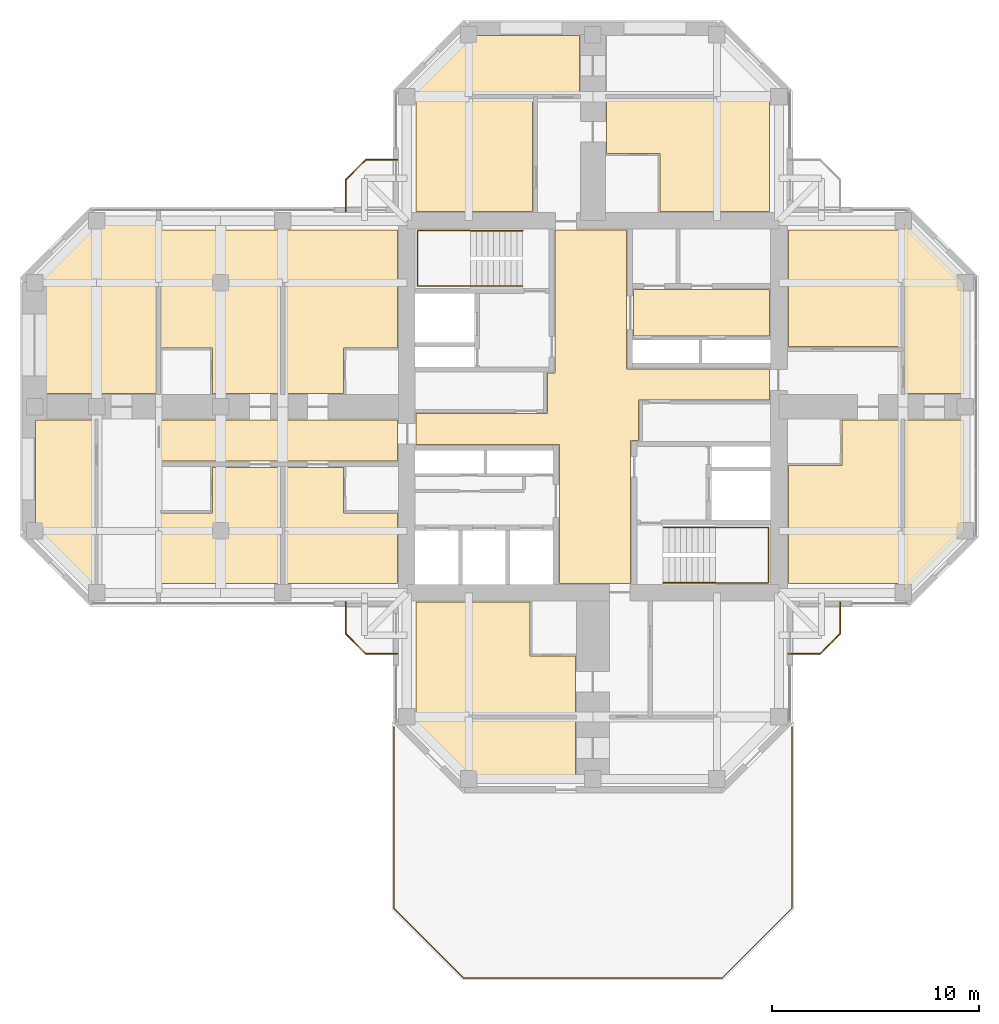
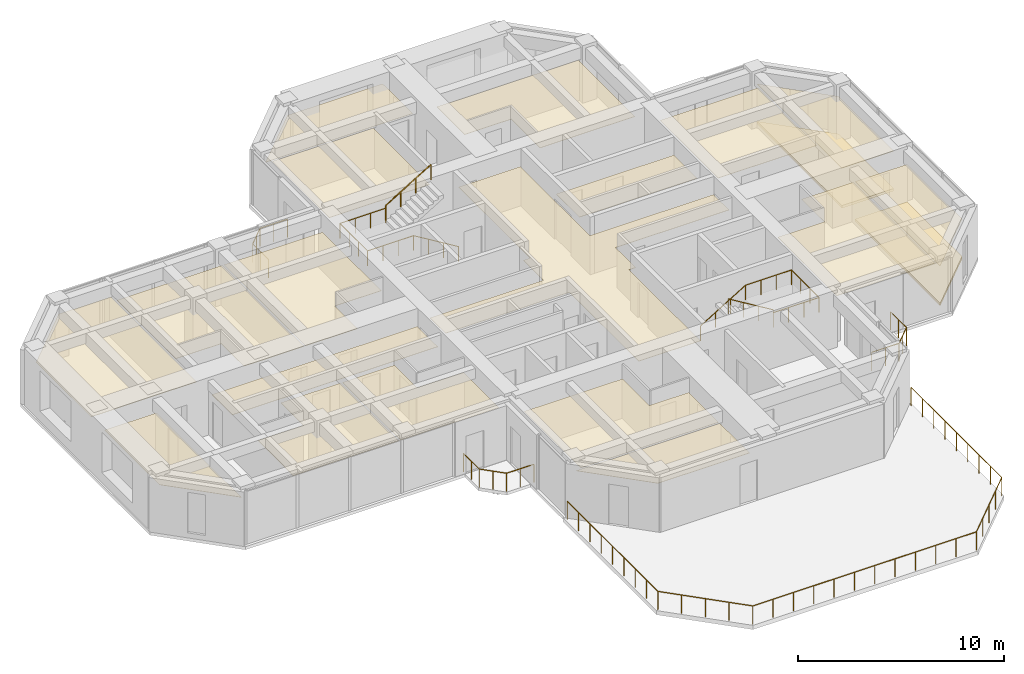
# One storey, part 13 of 14: 20 coverings, 8 railings.
"""IFC4 building model written with IfcOpenShell, lengths in metres."""

from ifc_helpers import new_model, si_unit, direction, frame, origin, origin_2d, place, context, subcontext, project, spatial, polyline, circle, outline, extrude, material, layer, layer_set, constituent, constituent_set, type_object, element, save


model = new_model("IFC4")

# Units and contexts
model_context = context("Model", 3, precision=1e-05, world=origin(), true_north=direction((0.0, 1.0)))
body_context = subcontext(model_context, "Body", "Model", "MODEL_VIEW")
ifc_project = project(units=[si_unit("LENGTHUNIT", "METRE"), si_unit("AREAUNIT", "SQUARE_METRE"), si_unit("VOLUMEUNIT", "CUBIC_METRE"), si_unit("PLANEANGLEUNIT", "RADIAN"), si_unit("MASSUNIT", "GRAM", prefix="KILO")], contexts=[model_context])

# Site, building, storey
site_placement = place(None, origin())
site = spatial("IfcSite", under=ifc_project, at=site_placement, CompositionType="ELEMENT")
building_placement = place(site_placement, origin())
building = spatial("IfcBuilding", under=site, at=building_placement, Name="Torre Cruceta", CompositionType="ELEMENT")
storey_placement = place(building_placement, frame((0.0, 0.0, 222.10009765625)))
storey = spatial("IfcBuildingStorey", under=building, at=storey_placement, Name="L56", CompositionType="ELEMENT", Elevation=222.10009765625)

# Railings
ifc_material_1 = material(Name="Stainless steel 1.4401", Category="steel")
ifc_constituent_1 = constituent(ifc_material_1, Name="Frame")
ifc_material_2 = material(Name="Laminated safety glass", Category="glass")
ifc_constituent_2 = constituent(ifc_material_2, Name="Infill")
ifc_constituent_set_1 = constituent_set(constituents=[ifc_constituent_1, ifc_constituent_2], Name="Stainless steel and laminated glass balustrade")
railing_type_1 = type_object("IfcRailingType", Name="BALCONY BALUSTRADE 1100", PredefinedType="BALUSTRADE", material=ifc_constituent_set_1)
railing_1_placement = place(storey_placement, frame((-9.449951171875, 11.949951171875, 0.0)))
element("IfcRailing", 1, at=railing_1_placement, inside=storey, type_object=railing_type_1, Name="BL1 balcony balustrade L56 N", PredefinedType="BALUSTRADE", context=body_context, shape_type="SweptSolid", body=[
    extrude(circle(Radius=0.02392578125, at=origin_2d()), frame((0.0, 0.0, 1.076171875), z_axis=(-1.0, 0.0, 0.0), x_axis=(0.0, -1.0, 0.0)), (0.0, 0.0, 1.0), 1.529296875),
    extrude(circle(Radius=0.02392578125, at=origin_2d()), frame((-1.529296875, 0.0, 1.076171875), z_axis=(-0.707106781187, -0.707106781187, 0.0), x_axis=(0.707106781187, -0.707106781187, 0.0)), (0.0, 0.0, 1.0), 1.372802734375),
    extrude(circle(Radius=0.02392578125, at=origin_2d()), frame((-2.5, -0.970703125, 1.076171875), z_axis=(0.0, -1.0, 0.0), x_axis=(1.0, 0.0, 0.0)), (0.0, 0.0, 1.0), 1.529296875),
    extrude(circle(Radius=0.02099609375, at=origin_2d()), origin(), (0.0, 0.0, 1.0), 1.052001953125),
    extrude(circle(Radius=0.02099609375, at=origin_2d()), frame((-0.7646484375, 0.0, 0.0)), (0.0, 0.0, 1.0), 1.052001953125),
    extrude(circle(Radius=0.02099609375, at=origin_2d()), frame((-1.529296875, 0.0, 0.0)), (0.0, 0.0, 1.0), 1.052001953125),
    extrude(circle(Radius=0.02099609375, at=origin_2d()), frame((-2.0146484375, -0.4853515625, 0.0)), (0.0, 0.0, 1.0), 1.052001953125),
    extrude(circle(Radius=0.02099609375, at=origin_2d()), frame((-2.5, -0.970703125, 0.0)), (0.0, 0.0, 1.0), 1.052001953125),
    extrude(circle(Radius=0.02099609375, at=origin_2d()), frame((-2.5, -1.7353515625, 0.0)), (0.0, 0.0, 1.0), 1.052001953125),
    extrude(circle(Radius=0.02099609375, at=origin_2d()), frame((-2.5, -2.5, 0.0)), (0.0, 0.0, 1.0), 1.052001953125),
])
railing_2_placement = place(storey_placement, frame((9.449951171875, -11.949951171875, 0.0)))
element("IfcRailing", 2, at=railing_2_placement, inside=storey, type_object=railing_type_1, Name="BL1 balcony balustrade L56 S", PredefinedType="BALUSTRADE", context=body_context, shape_type="SweptSolid", body=[
    extrude(circle(Radius=0.02392578125, at=origin_2d()), frame((0.0, 0.0, 1.076171875), z_axis=(1.0, 0.0, 0.0), x_axis=(0.0, 1.0, 0.0)), (0.0, 0.0, 1.0), 1.529296875),
    extrude(circle(Radius=0.02392578125, at=origin_2d()), frame((1.529296875, 0.0, 1.076171875), z_axis=(0.707106781187, 0.707106781187, 0.0), x_axis=(-0.707106781187, 0.707106781187, 0.0)), (0.0, 0.0, 1.0), 1.372802734375),
    extrude(circle(Radius=0.02392578125, at=origin_2d()), frame((2.5, 0.970703125, 1.076171875), z_axis=(0.0, 1.0, 0.0), x_axis=(-1.0, 0.0, 0.0)), (0.0, 0.0, 1.0), 1.529296875),
    extrude(circle(Radius=0.02099609375, at=origin_2d()), origin(), (0.0, 0.0, 1.0), 1.052001953125),
    extrude(circle(Radius=0.02099609375, at=origin_2d()), frame((0.7646484375, 0.0, 0.0)), (0.0, 0.0, 1.0), 1.052001953125),
    extrude(circle(Radius=0.02099609375, at=origin_2d()), frame((1.529296875, 0.0, 0.0)), (0.0, 0.0, 1.0), 1.052001953125),
    extrude(circle(Radius=0.02099609375, at=origin_2d()), frame((2.0146484375, 0.4853515625, 0.0)), (0.0, 0.0, 1.0), 1.052001953125),
    extrude(circle(Radius=0.02099609375, at=origin_2d()), frame((2.5, 0.970703125, 0.0)), (0.0, 0.0, 1.0), 1.052001953125),
    extrude(circle(Radius=0.02099609375, at=origin_2d()), frame((2.5, 1.7353515625, 0.0)), (0.0, 0.0, 1.0), 1.052001953125),
    extrude(circle(Radius=0.02099609375, at=origin_2d()), frame((2.5, 2.5, 0.0)), (0.0, 0.0, 1.0), 1.052001953125),
])
railing_3_placement = place(storey_placement, frame((-9.449951171875, -11.949951171875, 0.0)))
element("IfcRailing", 3, at=railing_3_placement, inside=storey, type_object=railing_type_1, Name="BL1 balcony balustrade L56 W", PredefinedType="BALUSTRADE", context=body_context, shape_type="SweptSolid", body=[
    extrude(circle(Radius=0.02392578125, at=origin_2d()), frame((0.0, 0.0, 1.076171875), z_axis=(-1.0, 0.0, 0.0), x_axis=(0.0, -1.0, 0.0)), (0.0, 0.0, 1.0), 1.529296875),
    extrude(circle(Radius=0.02392578125, at=origin_2d()), frame((-1.529296875, 0.0, 1.076171875), z_axis=(-0.707106781187, 0.707106781187, 0.0), x_axis=(-0.707106781187, -0.707106781187, 0.0)), (0.0, 0.0, 1.0), 1.372802734375),
    extrude(circle(Radius=0.02392578125, at=origin_2d()), frame((-2.5, 0.970703125, 1.076171875), z_axis=(0.0, 1.0, 0.0), x_axis=(-1.0, 0.0, 0.0)), (0.0, 0.0, 1.0), 1.529296875),
    extrude(circle(Radius=0.02099609375, at=origin_2d()), origin(), (0.0, 0.0, 1.0), 1.052001953125),
    extrude(circle(Radius=0.02099609375, at=origin_2d()), frame((-0.7646484375, 0.0, 0.0)), (0.0, 0.0, 1.0), 1.052001953125),
    extrude(circle(Radius=0.02099609375, at=origin_2d()), frame((-1.529296875, 0.0, 0.0)), (0.0, 0.0, 1.0), 1.052001953125),
    extrude(circle(Radius=0.02099609375, at=origin_2d()), frame((-2.0146484375, 0.4853515625, 0.0)), (0.0, 0.0, 1.0), 1.052001953125),
    extrude(circle(Radius=0.02099609375, at=origin_2d()), frame((-2.5, 0.970703125, 0.0)), (0.0, 0.0, 1.0), 1.052001953125),
    extrude(circle(Radius=0.02099609375, at=origin_2d()), frame((-2.5, 1.7353515625, 0.0)), (0.0, 0.0, 1.0), 1.052001953125),
    extrude(circle(Radius=0.02099609375, at=origin_2d()), frame((-2.5, 2.5, 0.0)), (0.0, 0.0, 1.0), 1.052001953125),
])
ifc_material_3 = material(Name="Stainless steel 1.4401", Category="steel")
railing_type_2 = type_object("IfcRailingType", Name="HANDRAIL 900", PredefinedType="HANDRAIL", material=ifc_material_3)
railing_4_placement = place(storey_placement, frame((-3.39990234375, 5.8349609375, 0.169921875)))
element("IfcRailing", 4, at=railing_4_placement, inside=storey, type_object=railing_type_2, Name="Handrail HR1 ST1 L56", PredefinedType="HANDRAIL", context=body_context, shape_type="SweptSolid", body=[
    extrude(circle(Radius=0.02392578125, at=origin_2d()), frame((0.0, 0.0, 0.8759765625), z_axis=(-0.85478489116, 0.0, 0.518982456201), x_axis=(0.0, -1.0, 0.0)), (0.0, 0.0, 1.0), 2.9482421875),
    extrude(circle(Radius=0.02392578125, at=origin_2d()), frame((-2.52001953125, 0.0, 2.40576171875), z_axis=(-1.0, 0.0, 0.0), x_axis=(0.0, -1.0, 0.0)), (0.0, 0.0, 1.0), 2.570068359375),
    extrude(circle(Radius=0.02392578125, at=origin_2d()), frame((-5.090087890625, 0.0, 2.40576171875), z_axis=(0.0, 1.0, 0.0), x_axis=(-1.0, 0.0, 0.0)), (0.0, 0.0, 1.0), 2.679931640625),
    extrude(circle(Radius=0.02392578125, at=origin_2d()), frame((-5.090087890625, 2.679931640625, 2.40576171875), z_axis=(1.0, 0.0, 0.0), x_axis=(0.0, 1.0, 0.0)), (0.0, 0.0, 1.0), 2.570068359375),
    extrude(circle(Radius=0.02099609375, at=origin_2d()), origin(), (0.0, 0.0, 1.0), 0.851806640625),
    extrude(circle(Radius=0.02099609375, at=origin_2d()), frame((-0.840087890625, 0.0, 0.510009765625)), (0.0, 0.0, 1.0), 0.851806640625),
    extrude(circle(Radius=0.02099609375, at=origin_2d()), frame((-1.679931640625, 0.0, 1.02001953125)), (0.0, 0.0, 1.0), 0.851806640625),
    extrude(circle(Radius=0.02099609375, at=origin_2d()), frame((-2.52001953125, 0.0, 1.530029296875)), (0.0, 0.0, 1.0), 0.851806640625),
    extrude(circle(Radius=0.02099609375, at=origin_2d()), frame((-3.376708984375, 0.0, 1.530029296875)), (0.0, 0.0, 1.0), 0.851806640625),
    extrude(circle(Radius=0.02099609375, at=origin_2d()), frame((-4.2333984375, 0.0, 1.530029296875)), (0.0, 0.0, 1.0), 0.851806640625),
    extrude(circle(Radius=0.02099609375, at=origin_2d()), frame((-5.090087890625, 0.0, 1.530029296875)), (0.0, 0.0, 1.0), 0.851806640625),
    extrude(circle(Radius=0.02099609375, at=origin_2d()), frame((-5.090087890625, 0.893310546875, 1.530029296875)), (0.0, 0.0, 1.0), 0.851806640625),
    extrude(circle(Radius=0.02099609375, at=origin_2d()), frame((-5.090087890625, 1.78662109375, 1.530029296875)), (0.0, 0.0, 1.0), 0.851806640625),
    extrude(circle(Radius=0.02099609375, at=origin_2d()), frame((-5.090087890625, 2.679931640625, 1.530029296875)), (0.0, 0.0, 1.0), 0.851806640625),
    extrude(circle(Radius=0.02099609375, at=origin_2d()), frame((-4.2333984375, 2.679931640625, 1.530029296875)), (0.0, 0.0, 1.0), 0.851806640625),
    extrude(circle(Radius=0.02099609375, at=origin_2d()), frame((-3.376708984375, 2.679931640625, 1.530029296875)), (0.0, 0.0, 1.0), 0.851806640625),
    extrude(circle(Radius=0.02099609375, at=origin_2d()), frame((-2.52001953125, 2.679931640625, 1.530029296875)), (0.0, 0.0, 1.0), 0.851806640625),
])
railing_5_placement = place(storey_placement, frame((-5.919921875, 8.514892578125, 1.869873046875)))
element("IfcRailing", 5, at=railing_5_placement, inside=storey, type_object=railing_type_2, Name="Handrail HR1 ST1 L56", PredefinedType="HANDRAIL", context=body_context, shape_type="SweptSolid", body=[
    extrude(circle(Radius=0.02392578125, at=origin_2d()), frame((0.0, 0.0, 0.8759765625), z_axis=(0.85478489116, 0.0, 0.518982456201), x_axis=(0.0, 1.0, 0.0)), (0.0, 0.0, 1.0), 2.9482421875),
    extrude(circle(Radius=0.02099609375, at=origin_2d()), origin(), (0.0, 0.0, 1.0), 0.851806640625),
    extrude(circle(Radius=0.02099609375, at=origin_2d()), frame((0.840087890625, 0.0, 0.510009765625)), (0.0, 0.0, 1.0), 0.851806640625),
    extrude(circle(Radius=0.02099609375, at=origin_2d()), frame((1.679931640625, 0.0, 1.02001953125)), (0.0, 0.0, 1.0), 0.851806640625),
    extrude(circle(Radius=0.02099609375, at=origin_2d()), frame((2.52001953125, 0.0, 1.530029296875)), (0.0, 0.0, 1.0), 0.851806640625),
])
railing_6_placement = place(storey_placement, frame((3.39990234375, -5.8349609375, 0.169921875)))
element("IfcRailing", 6, at=railing_6_placement, inside=storey, type_object=railing_type_2, Name="Handrail HR1 ST2 L56", PredefinedType="HANDRAIL", context=body_context, shape_type="SweptSolid", body=[
    extrude(circle(Radius=0.02392578125, at=origin_2d()), frame((0.0, 0.0, 0.8759765625), z_axis=(0.85478489116, 0.0, 0.518982456201), x_axis=(0.0, 1.0, 0.0)), (0.0, 0.0, 1.0), 2.9482421875),
    extrude(circle(Radius=0.02392578125, at=origin_2d()), frame((2.52001953125, 0.0, 2.40576171875), z_axis=(1.0, 0.0, 0.0), x_axis=(0.0, 1.0, 0.0)), (0.0, 0.0, 1.0), 2.570068359375),
    extrude(circle(Radius=0.02392578125, at=origin_2d()), frame((5.090087890625, 0.0, 2.40576171875), z_axis=(0.0, -1.0, 0.0), x_axis=(1.0, 0.0, 0.0)), (0.0, 0.0, 1.0), 2.679931640625),
    extrude(circle(Radius=0.02392578125, at=origin_2d()), frame((5.090087890625, -2.679931640625, 2.40576171875), z_axis=(-1.0, 0.0, 0.0), x_axis=(0.0, -1.0, 0.0)), (0.0, 0.0, 1.0), 2.570068359375),
    extrude(circle(Radius=0.02099609375, at=origin_2d()), origin(), (0.0, 0.0, 1.0), 0.851806640625),
    extrude(circle(Radius=0.02099609375, at=origin_2d()), frame((0.840087890625, 0.0, 0.510009765625)), (0.0, 0.0, 1.0), 0.851806640625),
    extrude(circle(Radius=0.02099609375, at=origin_2d()), frame((1.679931640625, 0.0, 1.02001953125)), (0.0, 0.0, 1.0), 0.851806640625),
    extrude(circle(Radius=0.02099609375, at=origin_2d()), frame((2.52001953125, 0.0, 1.530029296875)), (0.0, 0.0, 1.0), 0.851806640625),
    extrude(circle(Radius=0.02099609375, at=origin_2d()), frame((3.376708984375, 0.0, 1.530029296875)), (0.0, 0.0, 1.0), 0.851806640625),
    extrude(circle(Radius=0.02099609375, at=origin_2d()), frame((4.2333984375, 0.0, 1.530029296875)), (0.0, 0.0, 1.0), 0.851806640625),
    extrude(circle(Radius=0.02099609375, at=origin_2d()), frame((5.090087890625, 0.0, 1.530029296875)), (0.0, 0.0, 1.0), 0.851806640625),
    extrude(circle(Radius=0.02099609375, at=origin_2d()), frame((5.090087890625, -0.893310546875, 1.530029296875)), (0.0, 0.0, 1.0), 0.851806640625),
    extrude(circle(Radius=0.02099609375, at=origin_2d()), frame((5.090087890625, -1.78662109375, 1.530029296875)), (0.0, 0.0, 1.0), 0.851806640625),
    extrude(circle(Radius=0.02099609375, at=origin_2d()), frame((5.090087890625, -2.679931640625, 1.530029296875)), (0.0, 0.0, 1.0), 0.851806640625),
    extrude(circle(Radius=0.02099609375, at=origin_2d()), frame((4.2333984375, -2.679931640625, 1.530029296875)), (0.0, 0.0, 1.0), 0.851806640625),
    extrude(circle(Radius=0.02099609375, at=origin_2d()), frame((3.376708984375, -2.679931640625, 1.530029296875)), (0.0, 0.0, 1.0), 0.851806640625),
    extrude(circle(Radius=0.02099609375, at=origin_2d()), frame((2.52001953125, -2.679931640625, 1.530029296875)), (0.0, 0.0, 1.0), 0.851806640625),
])
railing_7_placement = place(storey_placement, frame((5.919921875, -8.514892578125, 1.869873046875)))
element("IfcRailing", 7, at=railing_7_placement, inside=storey, type_object=railing_type_2, Name="Handrail HR1 ST2 L56", PredefinedType="HANDRAIL", context=body_context, shape_type="SweptSolid", body=[
    extrude(circle(Radius=0.02392578125, at=origin_2d()), frame((0.0, 0.0, 0.8759765625), z_axis=(-0.85478489116, 0.0, 0.518982456201), x_axis=(0.0, -1.0, 0.0)), (0.0, 0.0, 1.0), 2.9482421875),
    extrude(circle(Radius=0.02099609375, at=origin_2d()), origin(), (0.0, 0.0, 1.0), 0.851806640625),
    extrude(circle(Radius=0.02099609375, at=origin_2d()), frame((-0.840087890625, 0.0, 0.510009765625)), (0.0, 0.0, 1.0), 0.851806640625),
    extrude(circle(Radius=0.02099609375, at=origin_2d()), frame((-1.679931640625, 0.0, 1.02001953125)), (0.0, 0.0, 1.0), 0.851806640625),
    extrude(circle(Radius=0.02099609375, at=origin_2d()), frame((-2.52001953125, 0.0, 1.530029296875)), (0.0, 0.0, 1.0), 0.851806640625),
])

# Coverings
ifc_material_4 = material(Name="Steel DX51D", Category="steel")
ifc_constituent_3 = constituent(ifc_material_4, Name="Panel casing")
ifc_material_5 = material(Name="Calcium sulphate", Category="gypsum")
ifc_constituent_4 = constituent(ifc_material_5, Name="Panel core")
ifc_constituent_set_2 = constituent_set(constituents=[ifc_constituent_3, ifc_constituent_4], Name="Raised access floor panel")
covering_type_1 = type_object("IfcCoveringType", Name="RAISED ACCESS FLOOR 150", PredefinedType="FLOORING", material=ifc_constituent_set_2)
covering_1_placement = place(storey_placement, origin())
element("IfcCovering", 8, at=covering_1_placement, inside=storey, type_object=covering_type_1, Name="Raised floor L56-034", PredefinedType="FLOORING", context=body_context, shape_type="SweptSolid", body=[
    extrude(outline(polyline([(17.949951171875, 5.979248046875), (17.949951171875, 0.64990234375), (15.050048828125, 0.64990234375), (15.050048828125, 8.87939453125), (17.949951171875, 5.979248046875)])), origin(), (0.0, 0.0, 1.0), 0.14990234375),
])
covering_2_placement = place(storey_placement, origin())
element("IfcCovering", 9, at=covering_2_placement, inside=storey, type_object=covering_type_1, Name="Raised floor L56-035", PredefinedType="FLOORING", context=body_context, shape_type="SweptSolid", body=[
    extrude(outline(polyline([(15.050048828125, -8.87939453125), (15.050048828125, -0.64990234375), (17.949951171875, -0.64990234375), (17.949951171875, -5.979248046875), (15.050048828125, -8.87939453125)])), origin(), (0.0, 0.0, 1.0), 0.14990234375),
])
ifc_material_6 = material(Name="Mineral fibre ceiling tile", Category="gypsum")
ifc_layer = layer(ifc_material_6, 0.02001953125)
ifc_layer_set = layer_set([ifc_layer], Name="Mineral fibre ceiling tile")
covering_type_2 = type_object("IfcCoveringType", Name="SUSPENDED CEILING 20", PredefinedType="CEILING", material=ifc_layer_set)
covering_3_placement = place(storey_placement, frame((0.0, 0.0, 2.349853515625)))
element("IfcCovering", 10, at=covering_3_placement, inside=storey, type_object=covering_type_2, Name="Ceiling L56-003", PredefinedType="CEILING", context=body_context, shape_type="SweptSolid", body=[
    extrude(outline(polyline([(1.824951171875, -8.550048828125), (-1.625, -8.550048828125), (-1.625, -1.824951171875), (-8.550048828125, -1.824951171875), (-8.550048828125, -0.324951171875), (-2.199951171875, -0.324951171875), (-2.199951171875, 1.625), (-1.824951171875, 1.625), (-1.824951171875, 8.550048828125), (1.625, 8.550048828125), (1.625, 1.824951171875), (8.550048828125, 1.824951171875), (8.550048828125, 0.324951171875), (2.199951171875, 0.324951171875), (2.199951171875, -1.625), (1.824951171875, -1.625), (1.824951171875, -8.550048828125)])), origin(), (0.0, 0.0, 1.0), 0.02001953125),
])
covering_4_placement = place(storey_placement, frame((0.0, 0.0, 2.349853515625)))
element("IfcCovering", 11, at=covering_4_placement, inside=storey, type_object=covering_type_2, Name="Ceiling L56-006", PredefinedType="CEILING", context=body_context, shape_type="SweptSolid", body=[
    extrude(outline(polyline([(1.97509765625, 3.425048828125), (1.97509765625, 5.675048828125), (8.550048828125, 5.675048828125), (8.550048828125, 3.425048828125), (1.97509765625, 3.425048828125)])), origin(), (0.0, 0.0, 1.0), 0.02001953125),
])
covering_5_placement = place(storey_placement, frame((0.0, 0.0, 2.349853515625)))
element("IfcCovering", 12, at=covering_5_placement, inside=storey, type_object=covering_type_2, Name="Ceiling L56-025", PredefinedType="CEILING", context=body_context, shape_type="SweptSolid", body=[
    extrude(outline(polyline([(-2.925048828125, 9.449951171875), (-8.550048828125, 9.449951171875), (-8.550048828125, 14.949951171875), (-2.925048828125, 14.949951171875), (-2.925048828125, 9.449951171875)])), origin(), (0.0, 0.0, 1.0), 0.02001953125),
])
covering_6_placement = place(storey_placement, frame((0.0, 0.0, 2.349853515625)))
element("IfcCovering", 13, at=covering_6_placement, inside=storey, type_object=covering_type_2, Name="Ceiling L56-026", PredefinedType="CEILING", context=body_context, shape_type="SweptSolid", body=[
    extrude(outline(polyline([(0.64990234375, 14.949951171875), (8.550048828125, 14.949951171875), (8.550048828125, 9.449951171875), (3.25, 9.449951171875), (3.25, 12.25), (0.64990234375, 12.25), (0.64990234375, 14.949951171875)])), origin(), (0.0, 0.0, 1.0), 0.02001953125),
])
covering_7_placement = place(storey_placement, frame((0.0, 0.0, 2.349853515625)))
element("IfcCovering", 14, at=covering_7_placement, inside=storey, type_object=covering_type_2, Name="Ceiling L56-028", PredefinedType="CEILING", context=body_context, shape_type="SweptSolid", body=[
    extrude(outline(polyline([(-5.979248046875, 17.949951171875), (-0.64990234375, 17.949951171875), (-0.64990234375, 15.050048828125), (-8.87939453125, 15.050048828125), (-5.979248046875, 17.949951171875)])), origin(), (0.0, 0.0, 1.0), 0.02001953125),
])
covering_8_placement = place(storey_placement, frame((0.0, 0.0, 2.349853515625)))
element("IfcCovering", 15, at=covering_8_placement, inside=storey, type_object=covering_type_2, Name="Ceiling L56-031", PredefinedType="CEILING", context=body_context, shape_type="SweptSolid", body=[
    extrude(outline(polyline([(9.449951171875, 2.925048828125), (9.449951171875, 8.550048828125), (14.949951171875, 8.550048828125), (14.949951171875, 2.925048828125), (9.449951171875, 2.925048828125)])), origin(), (0.0, 0.0, 1.0), 0.02001953125),
])
covering_9_placement = place(storey_placement, frame((0.0, 0.0, 2.349853515625)))
element("IfcCovering", 16, at=covering_9_placement, inside=storey, type_object=covering_type_2, Name="Ceiling L56-032", PredefinedType="CEILING", context=body_context, shape_type="SweptSolid", body=[
    extrude(outline(polyline([(14.949951171875, -0.64990234375), (14.949951171875, -8.550048828125), (9.449951171875, -8.550048828125), (9.449951171875, -2.85009765625), (12.050048828125, -2.85009765625), (12.050048828125, -0.64990234375), (14.949951171875, -0.64990234375)])), origin(), (0.0, 0.0, 1.0), 0.02001953125),
])
covering_10_placement = place(storey_placement, frame((0.0, 0.0, 2.349853515625)))
element("IfcCovering", 17, at=covering_10_placement, inside=storey, type_object=covering_type_2, Name="Ceiling L56-034", PredefinedType="CEILING", context=body_context, shape_type="SweptSolid", body=[
    extrude(outline(polyline([(17.949951171875, 5.979248046875), (17.949951171875, 0.64990234375), (15.050048828125, 0.64990234375), (15.050048828125, 8.87939453125), (17.949951171875, 5.979248046875)])), origin(), (0.0, 0.0, 1.0), 0.02001953125),
])
covering_11_placement = place(storey_placement, frame((0.0, 0.0, 2.349853515625)))
element("IfcCovering", 18, at=covering_11_placement, inside=storey, type_object=covering_type_2, Name="Ceiling L56-035", PredefinedType="CEILING", context=body_context, shape_type="SweptSolid", body=[
    extrude(outline(polyline([(15.050048828125, -8.87939453125), (15.050048828125, -0.64990234375), (17.949951171875, -0.64990234375), (17.949951171875, -5.979248046875), (15.050048828125, -8.87939453125)])), origin(), (0.0, 0.0, 1.0), 0.02001953125),
])
covering_12_placement = place(storey_placement, frame((0.0, 0.0, 2.349853515625)))
element("IfcCovering", 19, at=covering_12_placement, inside=storey, type_object=covering_type_2, Name="Ceiling L56-038", PredefinedType="CEILING", context=body_context, shape_type="SweptSolid", body=[
    extrude(outline(polyline([(-0.85009765625, -14.949951171875), (-8.550048828125, -14.949951171875), (-8.550048828125, -9.449951171875), (-3.050048828125, -9.449951171875), (-3.050048828125, -12.050048828125), (-0.85009765625, -12.050048828125), (-0.85009765625, -14.949951171875)])), origin(), (0.0, 0.0, 1.0), 0.02001953125),
])
covering_13_placement = place(storey_placement, frame((0.0, 0.0, 2.349853515625)))
element("IfcCovering", 20, at=covering_13_placement, inside=storey, type_object=covering_type_2, Name="Ceiling L56-041", PredefinedType="CEILING", context=body_context, shape_type="SweptSolid", body=[
    extrude(outline(polyline([(-8.87939453125, -15.050048828125), (-0.85009765625, -15.050048828125), (-0.85009765625, -17.949951171875), (-5.979248046875, -17.949951171875), (-8.87939453125, -15.050048828125)])), origin(), (0.0, 0.0, 1.0), 0.02001953125),
])
covering_14_placement = place(storey_placement, frame((0.0, 0.0, 2.349853515625)))
element("IfcCovering", 21, at=covering_14_placement, inside=storey, type_object=covering_type_2, Name="Ceiling L56-042", PredefinedType="CEILING", context=body_context, shape_type="SweptSolid", body=[
    extrude(outline(polyline([(-9.449951171875, -0.64990234375), (-9.449951171875, -2.625), (-20.949951171875, -2.625), (-20.949951171875, -0.64990234375), (-9.449951171875, -0.64990234375)])), origin(), (0.0, 0.0, 1.0), 0.02001953125),
])
covering_15_placement = place(storey_placement, frame((0.0, 0.0, 2.349853515625)))
element("IfcCovering", 22, at=covering_15_placement, inside=storey, type_object=covering_type_2, Name="Ceiling L56-043", PredefinedType="CEILING", context=body_context, shape_type="SweptSolid", body=[
    extrude(outline(polyline([(-9.449951171875, -8.550048828125), (-14.949951171875, -8.550048828125), (-14.949951171875, -2.925048828125), (-12.050048828125, -2.925048828125), (-12.050048828125, -5.125), (-9.449951171875, -5.125), (-9.449951171875, -8.550048828125)])), origin(), (0.0, 0.0, 1.0), 0.02001953125),
])
covering_16_placement = place(storey_placement, frame((0.0, 0.0, 2.349853515625)))
element("IfcCovering", 23, at=covering_16_placement, inside=storey, type_object=covering_type_2, Name="Ceiling L56-045", PredefinedType="CEILING", context=body_context, shape_type="SweptSolid", body=[
    extrude(outline(polyline([(-14.949951171875, 0.64990234375), (-14.949951171875, 8.550048828125), (-9.449951171875, 8.550048828125), (-9.449951171875, 2.85009765625), (-12.050048828125, 2.85009765625), (-12.050048828125, 0.64990234375), (-14.949951171875, 0.64990234375)])), origin(), (0.0, 0.0, 1.0), 0.02001953125),
])
covering_17_placement = place(storey_placement, frame((0.0, 0.0, 2.349853515625)))
element("IfcCovering", 24, at=covering_17_placement, inside=storey, type_object=covering_type_2, Name="Ceiling L56-047", PredefinedType="CEILING", context=body_context, shape_type="SweptSolid", body=[
    extrude(outline(polyline([(-15.050048828125, -2.925048828125), (-15.050048828125, -8.550048828125), (-20.949951171875, -8.550048828125), (-20.949951171875, -5.125), (-18.39990234375, -5.125), (-18.39990234375, -2.925048828125), (-15.050048828125, -2.925048828125)])), origin(), (0.0, 0.0, 1.0), 0.02001953125),
])
covering_18_placement = place(storey_placement, frame((0.0, 0.0, 2.349853515625)))
element("IfcCovering", 25, at=covering_18_placement, inside=storey, type_object=covering_type_2, Name="Ceiling L56-049", PredefinedType="CEILING", context=body_context, shape_type="SweptSolid", body=[
    extrude(outline(polyline([(-20.949951171875, 8.550048828125), (-15.050048828125, 8.550048828125), (-15.050048828125, 0.64990234375), (-18.39990234375, 0.64990234375), (-18.39990234375, 2.85009765625), (-20.949951171875, 2.85009765625), (-20.949951171875, 8.550048828125)])), origin(), (0.0, 0.0, 1.0), 0.02001953125),
])
covering_19_placement = place(storey_placement, frame((0.0, 0.0, 2.349853515625)))
element("IfcCovering", 26, at=covering_19_placement, inside=storey, type_object=covering_type_2, Name="Ceiling L56-052", PredefinedType="CEILING", context=body_context, shape_type="SweptSolid", body=[
    extrude(outline(polyline([(-26.949951171875, -0.64990234375), (-24.050048828125, -0.64990234375), (-24.050048828125, -8.87939453125), (-26.949951171875, -5.979248046875), (-26.949951171875, -0.64990234375)])), origin(), (0.0, 0.0, 1.0), 0.02001953125),
])
covering_20_placement = place(storey_placement, frame((0.0, 0.0, 2.349853515625)))
element("IfcCovering", 27, at=covering_20_placement, inside=storey, type_object=covering_type_2, Name="Ceiling L56-053", PredefinedType="CEILING", context=body_context, shape_type="SweptSolid", body=[
    extrude(outline(polyline([(-23.979248046875, 8.949951171875), (-21.050048828125, 8.949951171875), (-21.050048828125, 0.64990234375), (-26.949951171875, 0.64990234375), (-26.949951171875, 5.979248046875), (-23.979248046875, 8.949951171875)])), origin(), (0.0, 0.0, 1.0), 0.02001953125),
])

# Railing
ifc_material_7 = material(Name="Stainless steel 1.4401", Category="steel")
ifc_constituent_5 = constituent(ifc_material_7, Name="Frame")
ifc_material_8 = material(Name="Laminated safety glass", Category="glass")
ifc_constituent_6 = constituent(ifc_material_8, Name="Infill")
ifc_constituent_set_3 = constituent_set(constituents=[ifc_constituent_5, ifc_constituent_6], Name="Stainless steel and laminated glass balustrade")
railing_type_3 = type_object("IfcRailingType", Name="TERRACE GUARD 1100", PredefinedType="GUARDRAIL", material=ifc_constituent_set_3)
railing_8_placement = place(storey_placement, frame((9.6201171875, -15.468994140625, 0.0)))
element("IfcRailing", 28, at=railing_8_placement, inside=storey, type_object=railing_type_3, Name="GR1 terrace guard L56 1", PredefinedType="GUARDRAIL", context=body_context, shape_type="SweptSolid", body=[
    extrude(circle(Radius=0.02392578125, at=origin_2d()), frame((0.0, 0.0, 1.076171875), z_axis=(0.0, -1.0, 0.0), x_axis=(1.0, 0.0, 0.0)), (0.0, 0.0, 1.0), 8.787841796875),
    extrude(circle(Radius=0.02392578125, at=origin_2d()), frame((0.0, -8.787841796875, 1.076171875), z_axis=(-0.707106781187, -0.707106781187, 0.0), x_axis=(0.707106781187, -0.707106781187, 0.0)), (0.0, 0.0, 1.0), 4.75634765625),
    extrude(circle(Radius=0.02392578125, at=origin_2d()), frame((-3.36328125, -12.151123046875, 1.076171875), z_axis=(-1.0, 0.0, 0.0), x_axis=(0.0, -1.0, 0.0)), (0.0, 0.0, 1.0), 12.513671875),
    extrude(circle(Radius=0.02392578125, at=origin_2d()), frame((-15.876953125, -12.151123046875, 1.076171875), z_axis=(-0.707106781187, 0.707106781187, 0.0), x_axis=(-0.707106781187, -0.707106781187, 0.0)), (0.0, 0.0, 1.0), 4.75634765625),
    extrude(circle(Radius=0.02392578125, at=origin_2d()), frame((-19.240234375, -8.787841796875, 1.076171875), z_axis=(0.0, 1.0, 0.0), x_axis=(-1.0, 0.0, 0.0)), (0.0, 0.0, 1.0), 8.787841796875),
    extrude(circle(Radius=0.02099609375, at=origin_2d()), origin(), (0.0, 0.0, 1.0), 1.052001953125),
    extrude(circle(Radius=0.02099609375, at=origin_2d()), frame((0.0, -1.098388671875, 0.0)), (0.0, 0.0, 1.0), 1.052001953125),
    extrude(circle(Radius=0.02099609375, at=origin_2d()), frame((0.0, -2.197021484375, 0.0)), (0.0, 0.0, 1.0), 1.052001953125),
    extrude(circle(Radius=0.02099609375, at=origin_2d()), frame((0.0, -3.29541015625, 0.0)), (0.0, 0.0, 1.0), 1.052001953125),
    extrude(circle(Radius=0.02099609375, at=origin_2d()), frame((0.0, -4.39404296875, 0.0)), (0.0, 0.0, 1.0), 1.052001953125),
    extrude(circle(Radius=0.02099609375, at=origin_2d()), frame((0.0, -5.492431640625, 0.0)), (0.0, 0.0, 1.0), 1.052001953125),
    extrude(circle(Radius=0.02099609375, at=origin_2d()), frame((0.0, -6.5908203125, 0.0)), (0.0, 0.0, 1.0), 1.052001953125),
    extrude(circle(Radius=0.02099609375, at=origin_2d()), frame((0.0, -7.689453125, 0.0)), (0.0, 0.0, 1.0), 1.052001953125),
    extrude(circle(Radius=0.02099609375, at=origin_2d()), frame((0.0, -8.787841796875, 0.0)), (0.0, 0.0, 1.0), 1.052001953125),
    extrude(circle(Radius=0.02099609375, at=origin_2d()), frame((-0.8408203125, -9.628662109375, 0.0)), (0.0, 0.0, 1.0), 1.052001953125),
    extrude(circle(Radius=0.02099609375, at=origin_2d()), frame((-1.681640625, -10.469482421875, 0.0)), (0.0, 0.0, 1.0), 1.052001953125),
    extrude(circle(Radius=0.02099609375, at=origin_2d()), frame((-2.5224609375, -11.310302734375, 0.0)), (0.0, 0.0, 1.0), 1.052001953125),
    extrude(circle(Radius=0.02099609375, at=origin_2d()), frame((-3.36328125, -12.151123046875, 0.0)), (0.0, 0.0, 1.0), 1.052001953125),
    extrude(circle(Radius=0.02099609375, at=origin_2d()), frame((-4.5009765625, -12.151123046875, 0.0)), (0.0, 0.0, 1.0), 1.052001953125),
    extrude(circle(Radius=0.02099609375, at=origin_2d()), frame((-5.638427734375, -12.151123046875, 0.0)), (0.0, 0.0, 1.0), 1.052001953125),
    extrude(circle(Radius=0.02099609375, at=origin_2d()), frame((-6.776123046875, -12.151123046875, 0.0)), (0.0, 0.0, 1.0), 1.052001953125),
    extrude(circle(Radius=0.02099609375, at=origin_2d()), frame((-7.913818359375, -12.151123046875, 0.0)), (0.0, 0.0, 1.0), 1.052001953125),
    extrude(circle(Radius=0.02099609375, at=origin_2d()), frame((-9.05126953125, -12.151123046875, 0.0)), (0.0, 0.0, 1.0), 1.052001953125),
    extrude(circle(Radius=0.02099609375, at=origin_2d()), frame((-10.18896484375, -12.151123046875, 0.0)), (0.0, 0.0, 1.0), 1.052001953125),
    extrude(circle(Radius=0.02099609375, at=origin_2d()), frame((-11.326416015625, -12.151123046875, 0.0)), (0.0, 0.0, 1.0), 1.052001953125),
    extrude(circle(Radius=0.02099609375, at=origin_2d()), frame((-12.464111328125, -12.151123046875, 0.0)), (0.0, 0.0, 1.0), 1.052001953125),
    extrude(circle(Radius=0.02099609375, at=origin_2d()), frame((-13.601806640625, -12.151123046875, 0.0)), (0.0, 0.0, 1.0), 1.052001953125),
    extrude(circle(Radius=0.02099609375, at=origin_2d()), frame((-14.7392578125, -12.151123046875, 0.0)), (0.0, 0.0, 1.0), 1.052001953125),
    extrude(circle(Radius=0.02099609375, at=origin_2d()), frame((-15.876953125, -12.151123046875, 0.0)), (0.0, 0.0, 1.0), 1.052001953125),
    extrude(circle(Radius=0.02099609375, at=origin_2d()), frame((-16.7177734375, -11.310302734375, 0.0)), (0.0, 0.0, 1.0), 1.052001953125),
    extrude(circle(Radius=0.02099609375, at=origin_2d()), frame((-17.55859375, -10.469482421875, 0.0)), (0.0, 0.0, 1.0), 1.052001953125),
    extrude(circle(Radius=0.02099609375, at=origin_2d()), frame((-18.3994140625, -9.628662109375, 0.0)), (0.0, 0.0, 1.0), 1.052001953125),
    extrude(circle(Radius=0.02099609375, at=origin_2d()), frame((-19.240234375, -8.787841796875, 0.0)), (0.0, 0.0, 1.0), 1.052001953125),
    extrude(circle(Radius=0.02099609375, at=origin_2d()), frame((-19.240234375, -7.689453125, 0.0)), (0.0, 0.0, 1.0), 1.052001953125),
    extrude(circle(Radius=0.02099609375, at=origin_2d()), frame((-19.240234375, -6.5908203125, 0.0)), (0.0, 0.0, 1.0), 1.052001953125),
    extrude(circle(Radius=0.02099609375, at=origin_2d()), frame((-19.240234375, -5.492431640625, 0.0)), (0.0, 0.0, 1.0), 1.052001953125),
    extrude(circle(Radius=0.02099609375, at=origin_2d()), frame((-19.240234375, -4.39404296875, 0.0)), (0.0, 0.0, 1.0), 1.052001953125),
    extrude(circle(Radius=0.02099609375, at=origin_2d()), frame((-19.240234375, -3.29541015625, 0.0)), (0.0, 0.0, 1.0), 1.052001953125),
    extrude(circle(Radius=0.02099609375, at=origin_2d()), frame((-19.240234375, -2.197021484375, 0.0)), (0.0, 0.0, 1.0), 1.052001953125),
    extrude(circle(Radius=0.02099609375, at=origin_2d()), frame((-19.240234375, -1.098388671875, 0.0)), (0.0, 0.0, 1.0), 1.052001953125),
    extrude(circle(Radius=0.02099609375, at=origin_2d()), frame((-19.240234375, 0.0, 0.0)), (0.0, 0.0, 1.0), 1.052001953125),
])

save(model, "model.ifc")
